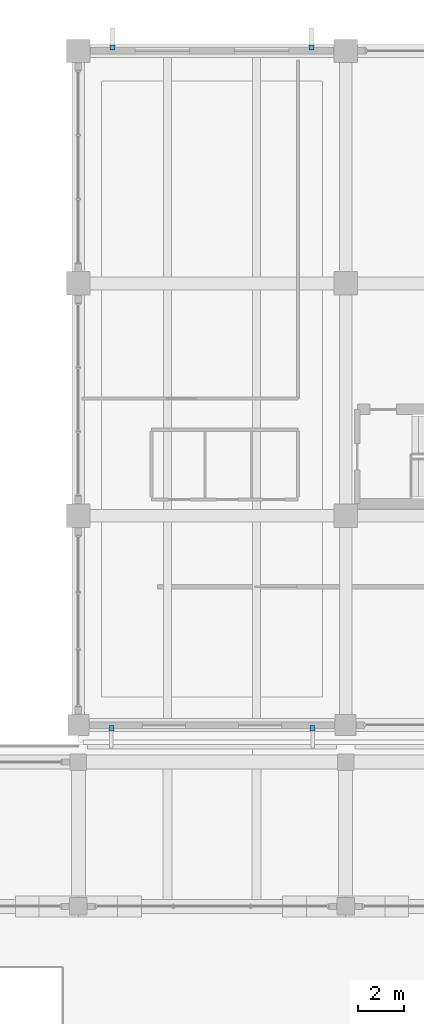
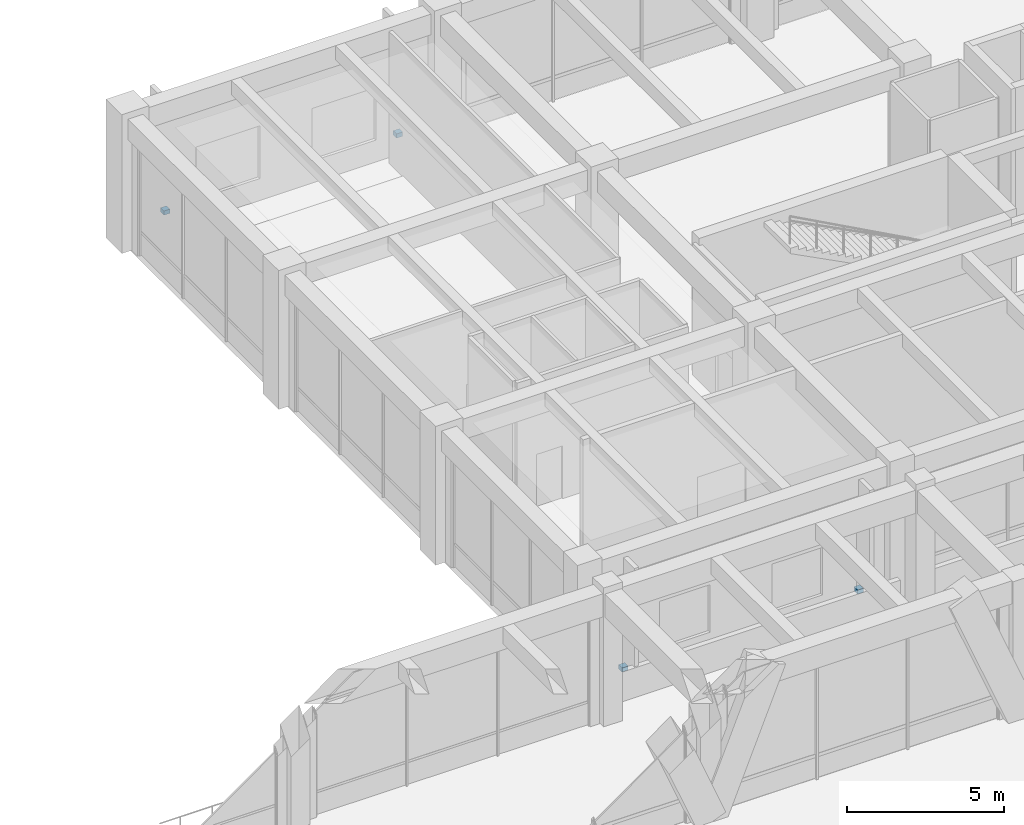
# One storey, part 139 of 148: 4 discrete accessories.
"""IFC4 building model written with IfcOpenShell, lengths in metres."""

import ifcopenshell
import ifcopenshell.guid

model = None  # the IFC model being written
_history = None  # IfcOwnerHistory: only IFC2X3 demands one
_inside = {}  # id of a spatial element -> (the spatial element, [elements in it])
_under = {}  # id of a project, library or spatial element -> (it, [spatial elements below it])
_declared = {}  # id of a project -> (the project, [libraries it declares])
_typed = {}  # id of a type object -> (the type object, [elements of that type])
_made_of = {}  # id of a material, layer set ... -> (it, [elements and type objects made of it])


def new_model(schema):
    """Start an empty IFC model of exactly this schema.

    Asked for "IFC4X3", IfcOpenShell would pick the latest addendum, in which some entities
    have other attributes; the version numbers below select the first issue.
    IFC2X3 requires an IfcOwnerHistory on every rooted entity: one is made here for all.
    """
    global model, _history
    if schema == "IFC4X3":
        model = ifcopenshell.file(schema_version=(4, 3, 0, 0))
    else:
        model = ifcopenshell.file(schema=schema)
    _inside.clear()
    _under.clear()
    _declared.clear()
    _typed.clear()
    _made_of.clear()
    _history = None
    if model.schema == "IFC2X3":
        org = make("IfcOrganization", Name="unknown")
        user = make(
            "IfcPersonAndOrganization",
            ThePerson=make("IfcPerson", FamilyName="unknown"),
            TheOrganization=org,
        )
        app = make(
            "IfcApplication",
            ApplicationDeveloper=org,
            Version="unknown",
            ApplicationFullName="unknown",
            ApplicationIdentifier="unknown",
        )
        _history = make(
            "IfcOwnerHistory",
            OwningUser=user,
            OwningApplication=app,
            ChangeAction="ADDED",
            CreationDate=0,
        )
    return model


def make(cls, **values):
    """One entity of the class cls with the attributes given. An attribute that is None is left unset."""
    return model.create_entity(
        cls, **{name: value for name, value in values.items() if value is not None}
    )


def rooted(cls, **values):
    """An entity with a GlobalId (a new one), such as an element, a storey or a relation."""
    return make(cls, GlobalId=ifcopenshell.guid.new(), OwnerHistory=_history, **values)


def si_unit(unit_type, name, prefix=None):
    """IfcSIUnit, for example si_unit("LENGTHUNIT", "METRE", prefix="MILLI")."""
    return make("IfcSIUnit", UnitType=unit_type, Prefix=prefix, Name=name)


def assignment(units):
    """IfcUnitAssignment: the units of a project."""
    return None if units is None else make("IfcUnitAssignment", Units=units)


def point(xyz):
    """IfcCartesianPoint."""
    return None if xyz is None else make("IfcCartesianPoint", Coordinates=xyz)


def direction(xyz):
    """IfcDirection."""
    return None if xyz is None else make("IfcDirection", DirectionRatios=xyz)


def frame(location, z_axis=None, x_axis=None):
    """IfcAxis2Placement3D, a coordinate frame: its origin and axes. An axis left out is left unset."""
    return make(
        "IfcAxis2Placement3D",
        Location=point(location),
        Axis=direction(z_axis),
        RefDirection=direction(x_axis),
    )


def frame_2d(location, x_axis=None):
    """IfcAxis2Placement2D, a coordinate frame in the plane: its origin and x axis."""
    return make(
        "IfcAxis2Placement2D", Location=point(location), RefDirection=direction(x_axis)
    )


def origin():
    """The frame at (0, 0, 0) with its axes left unset."""
    return frame((0.0, 0.0, 0.0))


def origin_2d():
    """The frame at (0, 0) in the plane with its x axis left unset."""
    return frame_2d((0.0, 0.0))


def place(relative_to, where):
    """IfcLocalPlacement: puts the frame where relative to a parent placement (None: the world)."""
    return make(
        "IfcLocalPlacement", PlacementRelTo=relative_to, RelativePlacement=where
    )


def context(
    kind, dimensions, precision=None, world=None, true_north=None, identifier=None
):
    """IfcGeometricRepresentationContext, for example the 3D "Model" context."""
    return make(
        "IfcGeometricRepresentationContext",
        ContextIdentifier=identifier,
        ContextType=kind,
        CoordinateSpaceDimension=dimensions,
        Precision=precision,
        WorldCoordinateSystem=world,
        TrueNorth=true_north,
    )


def subcontext(parent, identifier, kind, view, scale=None):
    """IfcGeometricRepresentationSubContext, for example "Body" below "Model"."""
    return make(
        "IfcGeometricRepresentationSubContext",
        ContextIdentifier=identifier,
        ContextType=kind,
        ParentContext=parent,
        TargetScale=scale,
        TargetView=view,
    )


def project(units=None, contexts=None):
    """IfcProject with its units and contexts."""
    return rooted(
        "IfcProject",
        Name="project",
        RepresentationContexts=contexts,
        UnitsInContext=assignment(units),
    )


def spatial(cls, under=None, at=None, **own):
    """A site, building, storey or space (cls), placed at a placement, below another one or the project."""
    s = rooted(cls, ObjectPlacement=at, **own)
    if under is not None:
        _under.setdefault(under.id(), (under, []))[1].append(s)
    return s


def profile(cls, at=None, kind="AREA", **sizes):
    """A parametric profile (cls). Its sizes go by their IFC names, for example OverallWidth=200.0."""
    return make(cls, ProfileType=kind, Position=at, **sizes)


def rectangle(**sizes):
    """IfcRectangleProfileDef."""
    return profile("IfcRectangleProfileDef", **sizes)


def extrude(swept, where, along, depth):
    """IfcExtrudedAreaSolid: the profile swept, set in the frame where, extruded along a direction by depth."""
    return make(
        "IfcExtrudedAreaSolid",
        SweptArea=swept,
        Position=where,
        ExtrudedDirection=direction(along),
        Depth=depth,
    )


def shape(context_of_items, identifier, shape_type, items):
    """IfcShapeRepresentation: the items that make up one representation, for example the "Body"."""
    return make(
        "IfcShapeRepresentation",
        ContextOfItems=context_of_items,
        RepresentationIdentifier=identifier,
        RepresentationType=shape_type,
        Items=items,
    )


def material(Name=None, Category=None):
    """IfcMaterial."""
    return make("IfcMaterial", Name=Name, Category=Category)


def made_of(thing, what):
    """Note that an element or type object is made of a material, layer set ...; save() writes the relation."""
    if what is not None:
        _made_of.setdefault(what.id(), (what, []))[1].append(thing)
    return thing


def type_object(cls, material=None, **own):
    """A type object (cls), such as IfcWallType, which elements share."""
    return made_of(rooted(cls, **own), material)


def element(
    cls,
    number,
    at=None,
    inside=None,
    cuts=None,
    type_object=None,
    material=None,
    context=None,
    identifier="Body",
    shape_type=None,
    held_by="IfcProductDefinitionShape",
    body=None,
    shapes=None,
    **own,
):
    """One element of the class cls, such as IfcWall. Its Tag is "e" and its number.

    at: its placement. inside: the storey or other place that contains it. cuts: it is an
    opening in that element (IfcRelVoidsElement). A single representation is given by context,
    identifier, shape_type and body (its items); several are given by shapes. held_by: the class
    of the entity that holds the representations. save() writes the other relations.
    """
    e = rooted(cls, Tag="e%d" % number, ObjectPlacement=at, **own)
    if body is not None:
        shapes = [shape(context, identifier, shape_type, body)]
    if shapes is not None:
        e.Representation = make(held_by, Representations=shapes)
    if inside is not None:
        _inside.setdefault(inside.id(), (inside, []))[1].append(e)
    if cuts is not None:
        rooted(
            "IfcRelVoidsElement", RelatingBuildingElement=cuts, RelatedOpeningElement=e
        )
    if type_object is not None:
        _typed.setdefault(type_object.id(), (type_object, []))[1].append(e)
    return made_of(e, material)


def aggregate(whole, parts):
    """IfcRelAggregates: a whole, such as a stair, and the parts it consists of."""
    return rooted("IfcRelAggregates", RelatingObject=whole, RelatedObjects=parts)


def save(model, path):
    """Write the relations noted so far, then the file.

    IfcRelAggregates (storeys below a building ...), IfcRelContainedInSpatialStructure (elements
    in a storey), IfcRelDefinesByType, IfcRelAssociatesMaterial and IfcRelDeclares: one each for
    every whole, place, type object, material and project.
    """
    for whole, parts in _under.values():
        aggregate(whole, parts)
    for where, things in _inside.values():
        rooted(
            "IfcRelContainedInSpatialStructure",
            RelatedElements=things,
            RelatingStructure=where,
        )
    for kind, things in _typed.values():
        rooted("IfcRelDefinesByType", RelatedObjects=things, RelatingType=kind)
    for what, things in _made_of.values():
        rooted("IfcRelAssociatesMaterial", RelatedObjects=things, RelatingMaterial=what)
    for by, libraries in _declared.values():
        rooted("IfcRelDeclares", RelatingContext=by, RelatedDefinitions=libraries)
    model.write(path)


model = new_model("IFC4")

# Units and contexts
model_context = context("Model", 3, precision=1e-05, world=origin(), true_north=direction((0.0, 1.0)))
body_context = subcontext(model_context, "Body", "Model", "MODEL_VIEW")
ifc_project = project(units=[si_unit("LENGTHUNIT", "METRE"), si_unit("AREAUNIT", "SQUARE_METRE"), si_unit("VOLUMEUNIT", "CUBIC_METRE"), si_unit("PLANEANGLEUNIT", "RADIAN"), si_unit("MASSUNIT", "GRAM", prefix="KILO")], contexts=[model_context])

# Site, building, storey
site_placement = place(None, origin())
site = spatial("IfcSite", under=ifc_project, at=site_placement, CompositionType="ELEMENT")
building_placement = place(site_placement, origin())
building = spatial("IfcBuilding", under=site, at=building_placement, Name="Ologun Quay Terminus", CompositionType="ELEMENT")
storey_placement = place(building_placement, frame((0.0, 0.0, 8.39990234375)))
storey = spatial("IfcBuildingStorey", under=building, at=storey_placement, Name="L02", CompositionType="ELEMENT", Elevation=8.39990234375)

# Discrete accessories
ifc_material = material(Name="Steel S355", Category="steel")
discrete_accessory_type = type_object("IfcDiscreteAccessoryType", Name="Solar Fin Stainless Support Bracket", PredefinedType="BRACKET", material=ifc_material)
for number, where, z_axis, x_axis, name in (
    (1, (116.419921875, 85.659912109375, 0.52001953125), (0.0, 0.0, 1.0), (1.0, 0.0, 0.0), "BRK-01 Solar Fin Bracket WEW-EW-L02-1-1"),
    (2, (125.080078125, 85.659912109375, 0.52001953125), (0.0, 0.0, 1.0), (1.0, 0.0, 0.0), "BRK-01 Solar Fin Bracket WEW-EW-L02-1-2"),
    (3, (116.469970703125, 114.93994140625, 0.52001953125), (0.0, 0.0, 1.0), (1.0, 0.0, 0.0), "BRK-01 Solar Fin Bracket WEW-EW-L02-17-1"),
    (4, (125.030029296875, 114.93994140625, 0.52001953125), (0.0, 0.0, 1.0), (1.0, 0.0, 0.0), "BRK-01 Solar Fin Bracket WEW-EW-L02-17-2"),
):
    element("IfcDiscreteAccessory", number, at=place(storey_placement, frame(where, z_axis=z_axis, x_axis=x_axis)), inside=storey, type_object=discrete_accessory_type, Name=name, PredefinedType="BRACKET", context=body_context, shape_type="SweptSolid", body=[
        extrude(rectangle(XDim=0.219970703125, YDim=0.219970703125, at=origin_2d()), origin(), (0.0, 0.0, 1.0), 0.159912109375),
    ])

save(model, "model.ifc")
